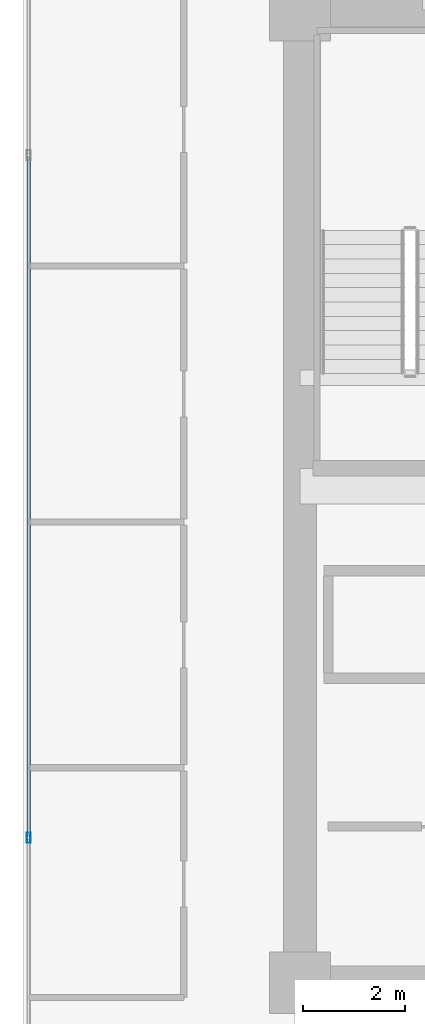
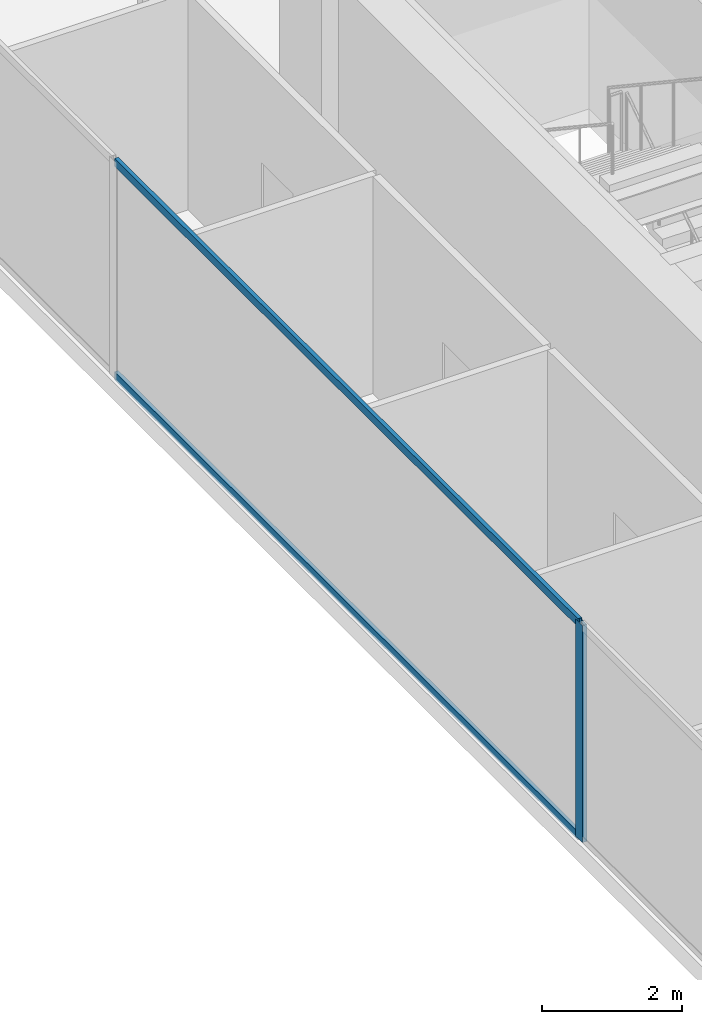
# One storey, part 6 of 31: 3 members, 1 element without a shape of its own.
"""IFC4 building model written with IfcOpenShell, lengths in metres."""

from ifc_helpers import new_model, si_unit, direction, frame, origin, origin_2d, place, context, subcontext, project, spatial, hollow_rectangle, extrude, source, transform, mapped, material, layer, layer_set, material_profile, profile_set, type_object, type_shapes, element, aggregate, save


model = new_model("IFC4")

# Units and contexts
model_context = context("Model", 3, precision=1e-05, world=origin(), true_north=direction((0.0, 1.0)))
body_context = subcontext(model_context, "Body", "Model", "MODEL_VIEW")
ifc_project = project(units=[si_unit("LENGTHUNIT", "METRE"), si_unit("AREAUNIT", "SQUARE_METRE"), si_unit("VOLUMEUNIT", "CUBIC_METRE"), si_unit("PLANEANGLEUNIT", "RADIAN"), si_unit("MASSUNIT", "GRAM", prefix="KILO")], contexts=[model_context])

# Site, building, storey
site_placement = place(None, origin())
site = spatial("IfcSite", under=ifc_project, at=site_placement, CompositionType="ELEMENT")
building_placement = place(site_placement, origin())
building = spatial("IfcBuilding", under=site, at=building_placement, Name="Haelvirn Gate Laboratories", CompositionType="ELEMENT")
storey_placement = place(building_placement, frame((0.0, 0.0, 154.300048828125)))
storey = spatial("IfcBuildingStorey", under=building, at=storey_placement, Name="L37", CompositionType="ELEMENT", Elevation=154.300048828125)

# Curtain wall, members
ifc_material_1 = material(Name="Anodised bronze unitised aluminium & triple low-E glass", Category="aluminium")
ifc_layer = layer(ifc_material_1, 0.179931640625, Name="CW-SYS-3")
ifc_layer_set = layer_set([ifc_layer], Name="Anodised bronze unitised aluminium & triple low-E glass")
curtain_wall_type = type_object("IfcCurtainWallType", Name="CW-SYS-3", PredefinedType="NOTDEFINED", material=ifc_layer_set)
curtain_wall_placement = place(storey_placement, origin())
curtain_wall = element("IfcCurtainWall", 1, at=curtain_wall_placement, inside=storey, type_object=curtain_wall_type, Name="L37 Unitised Curtain Wall CW-L37-P0-E17", PredefinedType="NOTDEFINED")
ifc_material_2 = material(Name="Extruded aluminium 6063-T6 (anodised bronze)", Category="aluminium")
ifc_material_profile_1 = material_profile(ifc_material_2, hollow_rectangle(XDim=0.06494140625, YDim=0.139892578125, WallThickness=0.00390625, at=origin_2d()), Name="CWT-140x65x4")
ifc_profile_set_1 = profile_set([ifc_material_profile_1], Name="Extruded aluminium 6063-T6 (anodised bronze)")
member_type_1 = type_object("IfcMemberType", Name="CWT-T140", PredefinedType="USERDEFINED", material=ifc_profile_set_1)
shared_shape_1 = source(origin(), body_context, "Body", "SweptSolid", [
    extrude(hollow_rectangle(XDim=0.06494140625, YDim=0.139892578125, WallThickness=0.00390625, at=origin_2d()), origin(), (0.0, 0.0, 1.0), 13.25830078125),
])
type_shapes(member_type_1, [shared_shape_1])
member_1_placement = place(storey_placement, frame((2.10009765625, 30.92919921875, 0.032470703125), z_axis=(0.0, -1.0, 0.0), x_axis=(1.0, 0.0, 0.0)))
member_1 = element("IfcMember", 2, at=member_1_placement, type_object=member_type_1, Name="CW3 transom 2.1", ObjectType="TRANSOM", PredefinedType="USERDEFINED", context=body_context, shape_type="MappedRepresentation", body=[
    mapped(shared_shape_1, transform((0.0, 0.0, 0.0), scale=1.0)),
])
member_2_placement = place(storey_placement, frame((2.10009765625, 30.92919921875, 3.757568359375), z_axis=(0.0, -1.0, 0.0), x_axis=(1.0, 0.0, 0.0)))
member_2 = element("IfcMember", 3, at=member_2_placement, type_object=member_type_1, Name="CW3 transom 2.2", ObjectType="TRANSOM", PredefinedType="USERDEFINED", context=body_context, shape_type="MappedRepresentation", body=[
    mapped(shared_shape_1, transform((0.0, 0.0, 0.0), scale=1.0)),
])
ifc_material_profile_2 = material_profile(ifc_material_2, hollow_rectangle(XDim=0.074951171875, YDim=0.199951171875, WallThickness=0.0048828125, at=origin_2d()), Name="CWM-200x75x5")
ifc_profile_set_2 = profile_set([ifc_material_profile_2], Name="Extruded aluminium 6063-T6 (anodised bronze)")
member_type_2 = type_object("IfcMemberType", Name="CWM-T200", PredefinedType="MULLION", material=ifc_profile_set_2)
shared_shape_2 = source(origin(), body_context, "Body", "SweptSolid", [
    extrude(hollow_rectangle(XDim=0.074951171875, YDim=0.199951171875, WallThickness=0.0048828125, at=origin_2d()), origin(), (0.0, 0.0, 1.0), 3.7900390625),
])
type_shapes(member_type_2, [shared_shape_2])
member_3_placement = place(storey_placement, frame((2.10009765625, 17.63330078125, 0.0), z_axis=(0.0, 0.0, 1.0), x_axis=(1.0, 0.0, 0.0)))
member_3 = element("IfcMember", 4, at=member_3_placement, type_object=member_type_2, Name="CW3 mullion 3", PredefinedType="MULLION", context=body_context, shape_type="MappedRepresentation", body=[
    mapped(shared_shape_2, transform((0.0, 0.0, 0.0), scale=1.0)),
])
aggregate(curtain_wall, [member_3, member_1, member_2])

save(model, "model.ifc")
